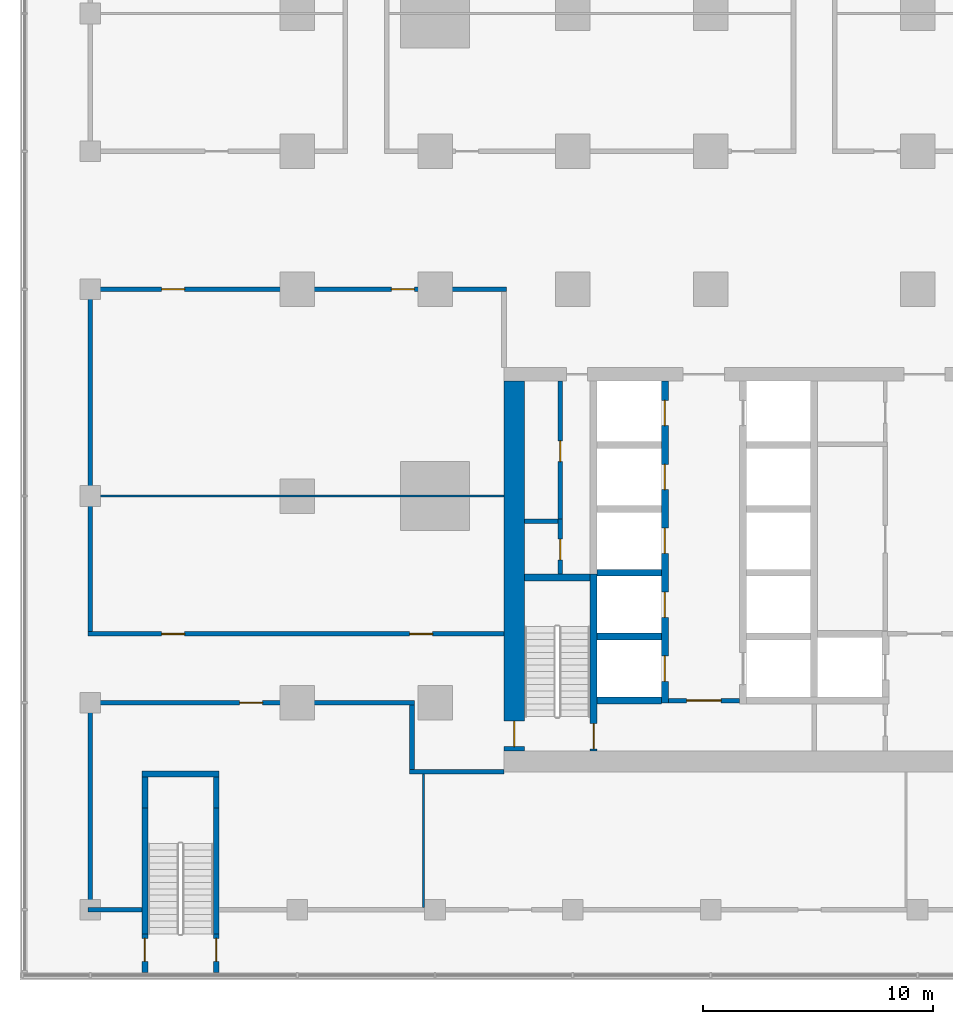
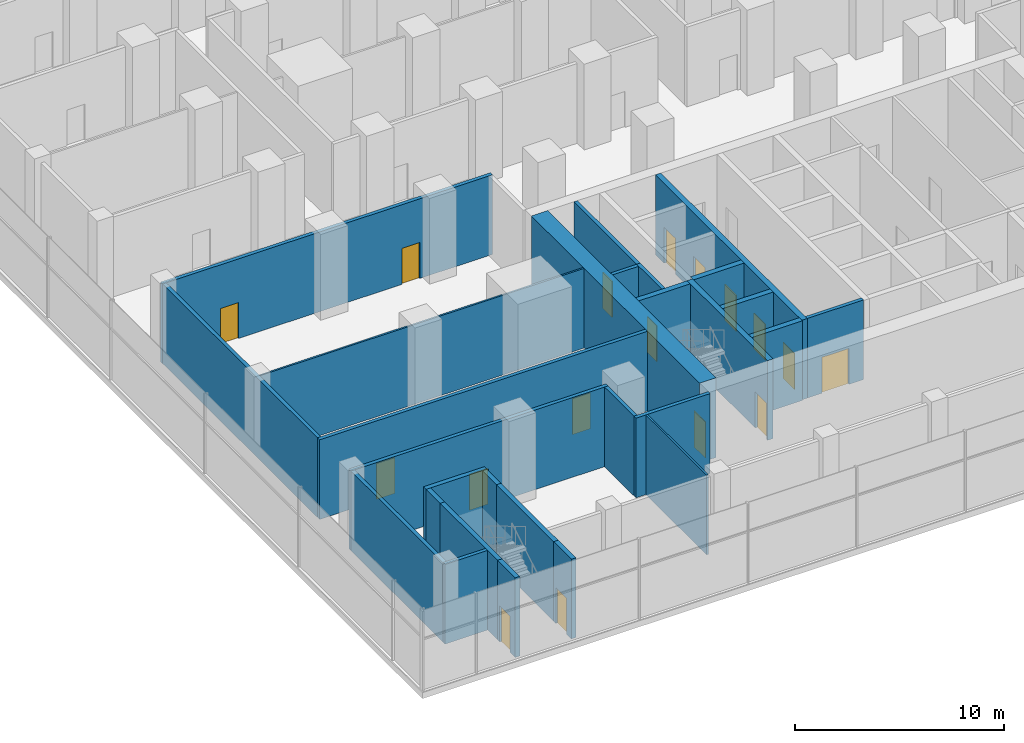
# One storey, part 12 of 22: 28 walls, 17 doors, 17 openings.
"""IFC4 building model written with IfcOpenShell, lengths in metres."""

import ifcopenshell
import ifcopenshell.guid

model = None  # the IFC model being written
_history = None  # IfcOwnerHistory: only IFC2X3 demands one
_inside = {}  # id of a spatial element -> (the spatial element, [elements in it])
_under = {}  # id of a project, library or spatial element -> (it, [spatial elements below it])
_declared = {}  # id of a project -> (the project, [libraries it declares])
_typed = {}  # id of a type object -> (the type object, [elements of that type])
_made_of = {}  # id of a material, layer set ... -> (it, [elements and type objects made of it])


def new_model(schema):
    """Start an empty IFC model of exactly this schema.

    Asked for "IFC4X3", IfcOpenShell would pick the latest addendum, in which some entities
    have other attributes; the version numbers below select the first issue.
    IFC2X3 requires an IfcOwnerHistory on every rooted entity: one is made here for all.
    """
    global model, _history
    if schema == "IFC4X3":
        model = ifcopenshell.file(schema_version=(4, 3, 0, 0))
    else:
        model = ifcopenshell.file(schema=schema)
    _inside.clear()
    _under.clear()
    _declared.clear()
    _typed.clear()
    _made_of.clear()
    _history = None
    if model.schema == "IFC2X3":
        org = make("IfcOrganization", Name="unknown")
        user = make(
            "IfcPersonAndOrganization",
            ThePerson=make("IfcPerson", FamilyName="unknown"),
            TheOrganization=org,
        )
        app = make(
            "IfcApplication",
            ApplicationDeveloper=org,
            Version="unknown",
            ApplicationFullName="unknown",
            ApplicationIdentifier="unknown",
        )
        _history = make(
            "IfcOwnerHistory",
            OwningUser=user,
            OwningApplication=app,
            ChangeAction="ADDED",
            CreationDate=0,
        )
    return model


def make(cls, **values):
    """One entity of the class cls with the attributes given. An attribute that is None is left unset."""
    return model.create_entity(
        cls, **{name: value for name, value in values.items() if value is not None}
    )


def rooted(cls, **values):
    """An entity with a GlobalId (a new one), such as an element, a storey or a relation."""
    return make(cls, GlobalId=ifcopenshell.guid.new(), OwnerHistory=_history, **values)


def si_unit(unit_type, name, prefix=None):
    """IfcSIUnit, for example si_unit("LENGTHUNIT", "METRE", prefix="MILLI")."""
    return make("IfcSIUnit", UnitType=unit_type, Prefix=prefix, Name=name)


def assignment(units):
    """IfcUnitAssignment: the units of a project."""
    return None if units is None else make("IfcUnitAssignment", Units=units)


def point(xyz):
    """IfcCartesianPoint."""
    return None if xyz is None else make("IfcCartesianPoint", Coordinates=xyz)


def direction(xyz):
    """IfcDirection."""
    return None if xyz is None else make("IfcDirection", DirectionRatios=xyz)


def frame(location, z_axis=None, x_axis=None):
    """IfcAxis2Placement3D, a coordinate frame: its origin and axes. An axis left out is left unset."""
    return make(
        "IfcAxis2Placement3D",
        Location=point(location),
        Axis=direction(z_axis),
        RefDirection=direction(x_axis),
    )


def frame_2d(location, x_axis=None):
    """IfcAxis2Placement2D, a coordinate frame in the plane: its origin and x axis."""
    return make(
        "IfcAxis2Placement2D", Location=point(location), RefDirection=direction(x_axis)
    )


def origin():
    """The frame at (0, 0, 0) with its axes left unset."""
    return frame((0.0, 0.0, 0.0))


def place(relative_to, where):
    """IfcLocalPlacement: puts the frame where relative to a parent placement (None: the world)."""
    return make(
        "IfcLocalPlacement", PlacementRelTo=relative_to, RelativePlacement=where
    )


def context(
    kind, dimensions, precision=None, world=None, true_north=None, identifier=None
):
    """IfcGeometricRepresentationContext, for example the 3D "Model" context."""
    return make(
        "IfcGeometricRepresentationContext",
        ContextIdentifier=identifier,
        ContextType=kind,
        CoordinateSpaceDimension=dimensions,
        Precision=precision,
        WorldCoordinateSystem=world,
        TrueNorth=true_north,
    )


def subcontext(parent, identifier, kind, view, scale=None):
    """IfcGeometricRepresentationSubContext, for example "Body" below "Model"."""
    return make(
        "IfcGeometricRepresentationSubContext",
        ContextIdentifier=identifier,
        ContextType=kind,
        ParentContext=parent,
        TargetScale=scale,
        TargetView=view,
    )


def project(units=None, contexts=None):
    """IfcProject with its units and contexts."""
    return rooted(
        "IfcProject",
        Name="project",
        RepresentationContexts=contexts,
        UnitsInContext=assignment(units),
    )


def spatial(cls, under=None, at=None, **own):
    """A site, building, storey or space (cls), placed at a placement, below another one or the project."""
    s = rooted(cls, ObjectPlacement=at, **own)
    if under is not None:
        _under.setdefault(under.id(), (under, []))[1].append(s)
    return s


def profile(cls, at=None, kind="AREA", **sizes):
    """A parametric profile (cls). Its sizes go by their IFC names, for example OverallWidth=200.0."""
    return make(cls, ProfileType=kind, Position=at, **sizes)


def rectangle(**sizes):
    """IfcRectangleProfileDef."""
    return profile("IfcRectangleProfileDef", **sizes)


def extrude(swept, where, along, depth):
    """IfcExtrudedAreaSolid: the profile swept, set in the frame where, extruded along a direction by depth."""
    return make(
        "IfcExtrudedAreaSolid",
        SweptArea=swept,
        Position=where,
        ExtrudedDirection=direction(along),
        Depth=depth,
    )


def shape(context_of_items, identifier, shape_type, items):
    """IfcShapeRepresentation: the items that make up one representation, for example the "Body"."""
    return make(
        "IfcShapeRepresentation",
        ContextOfItems=context_of_items,
        RepresentationIdentifier=identifier,
        RepresentationType=shape_type,
        Items=items,
    )


def material(Name=None, Category=None):
    """IfcMaterial."""
    return make("IfcMaterial", Name=Name, Category=Category)


def layer(
    of_material, thickness, ventilated=None, Name=None, Category=None, Priority=None
):
    """IfcMaterialLayer: one layer of a wall or slab, of a material (None: an air gap)."""
    return make(
        "IfcMaterialLayer",
        Material=of_material,
        LayerThickness=thickness,
        IsVentilated=ventilated,
        Name=Name,
        Category=Category,
        Priority=Priority,
    )


def layer_set(layers, Name=None):
    """IfcMaterialLayerSet."""
    return make("IfcMaterialLayerSet", MaterialLayers=layers, LayerSetName=Name)


def made_of(thing, what):
    """Note that an element or type object is made of a material, layer set ...; save() writes the relation."""
    if what is not None:
        _made_of.setdefault(what.id(), (what, []))[1].append(thing)
    return thing


def type_object(cls, material=None, **own):
    """A type object (cls), such as IfcWallType, which elements share."""
    return made_of(rooted(cls, **own), material)


def element(
    cls,
    number,
    at=None,
    inside=None,
    cuts=None,
    type_object=None,
    material=None,
    context=None,
    identifier="Body",
    shape_type=None,
    held_by="IfcProductDefinitionShape",
    body=None,
    shapes=None,
    **own,
):
    """One element of the class cls, such as IfcWall. Its Tag is "e" and its number.

    at: its placement. inside: the storey or other place that contains it. cuts: it is an
    opening in that element (IfcRelVoidsElement). A single representation is given by context,
    identifier, shape_type and body (its items); several are given by shapes. held_by: the class
    of the entity that holds the representations. save() writes the other relations.
    """
    e = rooted(cls, Tag="e%d" % number, ObjectPlacement=at, **own)
    if body is not None:
        shapes = [shape(context, identifier, shape_type, body)]
    if shapes is not None:
        e.Representation = make(held_by, Representations=shapes)
    if inside is not None:
        _inside.setdefault(inside.id(), (inside, []))[1].append(e)
    if cuts is not None:
        rooted(
            "IfcRelVoidsElement", RelatingBuildingElement=cuts, RelatedOpeningElement=e
        )
    if type_object is not None:
        _typed.setdefault(type_object.id(), (type_object, []))[1].append(e)
    return made_of(e, material)


def fill(opening, filler):
    """IfcRelFillsElement: the door or window that sits in an opening."""
    return rooted(
        "IfcRelFillsElement",
        RelatingOpeningElement=opening,
        RelatedBuildingElement=filler,
    )


def aggregate(whole, parts):
    """IfcRelAggregates: a whole, such as a stair, and the parts it consists of."""
    return rooted("IfcRelAggregates", RelatingObject=whole, RelatedObjects=parts)


def save(model, path):
    """Write the relations noted so far, then the file.

    IfcRelAggregates (storeys below a building ...), IfcRelContainedInSpatialStructure (elements
    in a storey), IfcRelDefinesByType, IfcRelAssociatesMaterial and IfcRelDeclares: one each for
    every whole, place, type object, material and project.
    """
    for whole, parts in _under.values():
        aggregate(whole, parts)
    for where, things in _inside.values():
        rooted(
            "IfcRelContainedInSpatialStructure",
            RelatedElements=things,
            RelatingStructure=where,
        )
    for kind, things in _typed.values():
        rooted("IfcRelDefinesByType", RelatedObjects=things, RelatingType=kind)
    for what, things in _made_of.values():
        rooted("IfcRelAssociatesMaterial", RelatedObjects=things, RelatingMaterial=what)
    for by, libraries in _declared.values():
        rooted("IfcRelDeclares", RelatingContext=by, RelatedDefinitions=libraries)
    model.write(path)


model = new_model("IFC4")

# Units and contexts
model_context = context("Model", 3, precision=1e-05, world=origin(), true_north=direction((0.0, 1.0)))
body_context = subcontext(model_context, "Body", "Model", "MODEL_VIEW")
ifc_project = project(units=[si_unit("LENGTHUNIT", "METRE"), si_unit("AREAUNIT", "SQUARE_METRE"), si_unit("VOLUMEUNIT", "CUBIC_METRE"), si_unit("PLANEANGLEUNIT", "RADIAN"), si_unit("MASSUNIT", "GRAM", prefix="KILO")], contexts=[model_context])

# Site, building, storey
site_placement = place(None, origin())
site = spatial("IfcSite", under=ifc_project, at=site_placement, CompositionType="ELEMENT")
building_placement = place(site_placement, origin())
building = spatial("IfcBuilding", under=site, at=building_placement, Name="Finial Court Residences", CompositionType="ELEMENT")
storey_placement = place(building_placement, frame((0.0, 0.0, 18.5)))
storey = spatial("IfcBuildingStorey", under=building, at=storey_placement, Name="L03", CompositionType="ELEMENT", Elevation=18.5)

# Wall, opening, door
ifc_material_1 = material(Name="Concrete C80/95", Category="concrete")
ifc_layer_1 = layer(ifc_material_1, 0.89990234375)
ifc_layer_set_1 = layer_set([ifc_layer_1], Name="Core outer wall 900 Concrete C80/95")
wall_type_1 = type_object("IfcWallType", Name="Core outer wall 900 Concrete C80/95", PredefinedType="SHEAR", material=ifc_layer_set_1)
wall_1_placement = place(storey_placement, frame((-13.050048828125, -8.5, 0.0), z_axis=(0.0, 0.0, 1.0), x_axis=(0.0, -1.0, 0.0)))
wall_1 = element("IfcWall", 1, at=wall_1_placement, inside=storey, type_object=wall_type_1, Name="Core outer wall L03-03", PredefinedType="SHEAR", context=body_context, shape_type="SweptSolid", body=[
    extrude(rectangle(XDim=16.10009765625, YDim=0.89990234375, at=frame_2d((8.050048828125, 0.0))), origin(), (0.0, 0.0, 1.0), 4.64990234375),
])
opening_1_placement = place(wall_1_placement, frame((14.800048828125, 0.0, 0.0)))
opening_1 = element("IfcOpeningElement", 2, at=opening_1_placement, cuts=wall_1, Name="Opening L03-C19", PredefinedType="OPENING", context=body_context, shape_type="SweptSolid", body=[
    extrude(rectangle(XDim=1.10009765625, YDim=2.10009765625, at=frame_2d((0.550048828125, 1.050048828125))), frame((0.0, 0.4599609375, 0.0), z_axis=(0.0, -1.0, 0.0), x_axis=(1.0, 0.0, 0.0)), (0.0, 0.0, 1.0), 0.919921875),
])
ifc_material_2 = material(Name="Steel fire door", Category="steel")
door_type_1 = type_object("IfcDoorType", Name="Stair door 1100 x 2100 EI 90", OperationType="NOTDEFINED", PredefinedType="DOOR", material=ifc_material_2)
door_1_placement = place(opening_1_placement, origin())
door_1 = element("IfcDoor", 3, at=door_1_placement, inside=storey, type_object=door_type_1, Name="Stair door L03-C19", OperationType="SINGLE_SWING_RIGHT", OverallHeight=2.10009765625, OverallWidth=1.10009765625, PredefinedType="DOOR", context=body_context, shape_type="SweptSolid", body=[
    extrude(rectangle(XDim=1.10009765625, YDim=2.10009765625, at=frame_2d((0.550048828125, 1.050048828125))), frame((0.0, 0.02490234375, 0.0), z_axis=(0.0, -1.0, 0.0), x_axis=(1.0, 0.0, 0.0)), (0.0, 0.0, 1.0), 0.050048828125),
])
fill(opening_1, door_1)

# Walls
ifc_material_3 = material(Name="Gypsum board")
ifc_layer_2 = layer(ifc_material_3, 0.02490234375)
ifc_material_4 = material(Name="Acoustic mineral wool in double frame")
ifc_layer_3 = layer(ifc_material_4, 0.14990234375)
ifc_layer_4 = layer(ifc_material_3, 0.02490234375)
ifc_layer_set_2 = layer_set([ifc_layer_2, ifc_layer_3, ifc_layer_4], Name="Corridor wall 200, 1 hour")
wall_type_2 = type_object("IfcWallType", Name="Corridor wall 200, 1 hour", PredefinedType="PARTITIONING", material=ifc_layer_set_2)
wall_2_placement = place(storey_placement, frame((-31.60009765625, -31.5, 0.0), z_axis=(0.0, 0.0, 1.0), x_axis=(1.0, 0.0, 0.0)))
element("IfcWall", 4, at=wall_2_placement, inside=storey, type_object=wall_type_2, Name="Partition L03-000", PredefinedType="PARTITIONING", context=body_context, shape_type="SweptSolid", body=[
    extrude(rectangle(XDim=2.35009765625, YDim=0.199951171875, at=frame_2d((1.175048828125, 0.0))), origin(), (0.0, 0.0, 1.0), 4.64990234375),
])
wall_3_placement = place(storey_placement, frame((-17.60009765625, -25.5, 0.0), z_axis=(0.0, 0.0, 1.0), x_axis=(1.0, 0.0, 0.0)))
element("IfcWall", 5, at=wall_3_placement, inside=storey, type_object=wall_type_2, Name="Partition L03-003", PredefinedType="PARTITIONING", context=body_context, shape_type="SweptSolid", body=[
    extrude(rectangle(XDim=4.10009765625, YDim=0.199951171875, at=frame_2d((2.050048828125, 0.0))), origin(), (0.0, 0.0, 1.0), 4.64990234375),
])

# Wall, opening, door
wall_4_placement = place(storey_placement, frame((-31.60009765625, -22.5, 0.0), z_axis=(0.0, 0.0, 1.0), x_axis=(1.0, 0.0, 0.0)))
wall_4 = element("IfcWall", 6, at=wall_4_placement, inside=storey, type_object=wall_type_2, Name="Partition L03-005", PredefinedType="PARTITIONING", context=body_context, shape_type="SweptSolid", body=[
    extrude(rectangle(XDim=14.2001953125, YDim=0.199951171875, at=frame_2d((7.10009765625, 0.0))), origin(), (0.0, 0.0, 1.0), 4.64990234375),
])
opening_2_placement = place(wall_4_placement, frame((6.60009765625, 0.0, 0.0)))
opening_2 = element("IfcOpeningElement", 7, at=opening_2_placement, cuts=wall_4, Name="Opening L03-D007", PredefinedType="OPENING", context=body_context, shape_type="SweptSolid", body=[
    extrude(rectangle(XDim=1.0, YDim=2.10009765625, at=frame_2d((0.5, 1.050048828125))), frame((0.0, 0.10986328125, 0.0), z_axis=(0.0, -1.0, 0.0), x_axis=(1.0, 0.0, 0.0)), (0.0, 0.0, 1.0), 0.219970703125),
])
ifc_material_5 = material(Name="Timber door leaf in hollow metal frame", Category="wood")
door_type_2 = type_object("IfcDoorType", Name="Fire door set 1000 x 2100, 30 minutes", OperationType="SINGLE_SWING_LEFT", PredefinedType="DOOR", material=ifc_material_5)
door_2_placement = place(opening_2_placement, origin())
door_2 = element("IfcDoor", 8, at=door_2_placement, inside=storey, type_object=door_type_2, Name="Door L03-D007", OperationType="SINGLE_SWING_RIGHT", OverallHeight=2.10009765625, OverallWidth=1.0, PredefinedType="DOOR", context=body_context, shape_type="SweptSolid", body=[
    extrude(rectangle(XDim=1.0, YDim=2.10009765625, at=frame_2d((0.5, 1.050048828125))), frame((0.0, 0.02490234375, 0.0), z_axis=(0.0, -1.0, 0.0), x_axis=(1.0, 0.0, 0.0)), (0.0, 0.0, 1.0), 0.050048828125),
])
fill(opening_2, door_2)

# Wall, openings, doors
wall_5_placement = place(storey_placement, frame((-31.60009765625, -19.5, 0.0), z_axis=(0.0, 0.0, 1.0), x_axis=(1.0, 0.0, 0.0)))
wall_5 = element("IfcWall", 9, at=wall_5_placement, inside=storey, type_object=wall_type_2, Name="Partition L03-008", PredefinedType="PARTITIONING", context=body_context, shape_type="SweptSolid", body=[
    extrude(rectangle(XDim=18.10009765625, YDim=0.199951171875, at=frame_2d((9.050048828125, 0.0))), origin(), (0.0, 0.0, 1.0), 4.64990234375),
])
opening_3_placement = place(wall_5_placement, frame((3.199951171875, 0.0, 0.0)))
opening_3 = element("IfcOpeningElement", 10, at=opening_3_placement, cuts=wall_5, Name="Opening L03-D008", PredefinedType="OPENING", context=body_context, shape_type="SweptSolid", body=[
    extrude(rectangle(XDim=1.0, YDim=2.10009765625, at=frame_2d((0.5, 1.050048828125))), frame((0.0, 0.10986328125, 0.0), z_axis=(0.0, -1.0, 0.0), x_axis=(1.0, 0.0, 0.0)), (0.0, 0.0, 1.0), 0.219970703125),
])
opening_4_placement = place(wall_5_placement, frame((14.0, 0.0, 0.0)))
opening_4 = element("IfcOpeningElement", 11, at=opening_4_placement, cuts=wall_5, Name="Opening L03-D009", PredefinedType="OPENING", context=body_context, shape_type="SweptSolid", body=[
    extrude(rectangle(XDim=1.0, YDim=2.10009765625, at=frame_2d((0.5, 1.050048828125))), frame((0.0, 0.10986328125, 0.0), z_axis=(0.0, -1.0, 0.0), x_axis=(1.0, 0.0, 0.0)), (0.0, 0.0, 1.0), 0.219970703125),
])
door_3_placement = place(opening_3_placement, origin())
door_3 = element("IfcDoor", 12, at=door_3_placement, inside=storey, type_object=door_type_2, Name="Door L03-D008", OperationType="SINGLE_SWING_RIGHT", OverallHeight=2.10009765625, OverallWidth=1.0, PredefinedType="DOOR", context=body_context, shape_type="SweptSolid", body=[
    extrude(rectangle(XDim=1.0, YDim=2.10009765625, at=frame_2d((0.5, 1.050048828125))), frame((0.0, 0.02490234375, 0.0), z_axis=(0.0, -1.0, 0.0), x_axis=(1.0, 0.0, 0.0)), (0.0, 0.0, 1.0), 0.050048828125),
])
fill(opening_3, door_3)
door_4_placement = place(opening_4_placement, origin())
door_4 = element("IfcDoor", 13, at=door_4_placement, inside=storey, type_object=door_type_2, Name="Door L03-D009", OperationType="SINGLE_SWING_LEFT", OverallHeight=2.10009765625, OverallWidth=1.0, PredefinedType="DOOR", context=body_context, shape_type="SweptSolid", body=[
    extrude(rectangle(XDim=1.0, YDim=2.10009765625, at=frame_2d((0.5, 1.050048828125))), frame((0.0, 0.02490234375, 0.0), z_axis=(0.0, -1.0, 0.0), x_axis=(1.0, 0.0, 0.0)), (0.0, 0.0, 1.0), 0.050048828125),
])
fill(opening_4, door_4)

wall_6_placement = place(storey_placement, frame((-31.60009765625, -4.5, 0.0), z_axis=(0.0, 0.0, 1.0), x_axis=(1.0, 0.0, 0.0)))
wall_6 = element("IfcWall", 14, at=wall_6_placement, inside=storey, type_object=wall_type_2, Name="Partition L03-015", PredefinedType="PARTITIONING", context=body_context, shape_type="SweptSolid", body=[
    extrude(rectangle(XDim=18.2001953125, YDim=0.199951171875, at=frame_2d((9.10009765625, 0.0))), origin(), (0.0, 0.0, 1.0), 4.64990234375),
])
opening_5_placement = place(wall_6_placement, frame((3.199951171875, 0.0, 0.0)))
opening_5 = element("IfcOpeningElement", 15, at=opening_5_placement, cuts=wall_6, Name="Opening L03-D013", PredefinedType="OPENING", context=body_context, shape_type="SweptSolid", body=[
    extrude(rectangle(XDim=1.0, YDim=2.10009765625, at=frame_2d((0.5, 1.050048828125))), frame((0.0, 0.10986328125, 0.0), z_axis=(0.0, -1.0, 0.0), x_axis=(1.0, 0.0, 0.0)), (0.0, 0.0, 1.0), 0.219970703125),
])
opening_6_placement = place(wall_6_placement, frame((13.199951171875, 0.0, 0.0)))
opening_6 = element("IfcOpeningElement", 16, at=opening_6_placement, cuts=wall_6, Name="Opening L03-D014", PredefinedType="OPENING", context=body_context, shape_type="SweptSolid", body=[
    extrude(rectangle(XDim=1.0, YDim=2.10009765625, at=frame_2d((0.5, 1.050048828125))), frame((0.0, 0.10986328125, 0.0), z_axis=(0.0, -1.0, 0.0), x_axis=(1.0, 0.0, 0.0)), (0.0, 0.0, 1.0), 0.219970703125),
])
door_5_placement = place(opening_5_placement, origin())
door_5 = element("IfcDoor", 17, at=door_5_placement, inside=storey, type_object=door_type_2, Name="Door L03-D013", OperationType="SINGLE_SWING_LEFT", OverallHeight=2.10009765625, OverallWidth=1.0, PredefinedType="DOOR", context=body_context, shape_type="SweptSolid", body=[
    extrude(rectangle(XDim=1.0, YDim=2.10009765625, at=frame_2d((0.5, 1.050048828125))), frame((0.0, 0.02490234375, 0.0), z_axis=(0.0, -1.0, 0.0), x_axis=(1.0, 0.0, 0.0)), (0.0, 0.0, 1.0), 0.050048828125),
])
fill(opening_5, door_5)
door_6_placement = place(opening_6_placement, origin())
door_6 = element("IfcDoor", 18, at=door_6_placement, inside=storey, type_object=door_type_2, Name="Door L03-D014", OperationType="SINGLE_SWING_RIGHT", OverallHeight=2.10009765625, OverallWidth=1.0, PredefinedType="DOOR", context=body_context, shape_type="SweptSolid", body=[
    extrude(rectangle(XDim=1.0, YDim=2.10009765625, at=frame_2d((0.5, 1.050048828125))), frame((0.0, 0.02490234375, 0.0), z_axis=(0.0, -1.0, 0.0), x_axis=(1.0, 0.0, 0.0)), (0.0, 0.0, 1.0), 0.050048828125),
])
fill(opening_6, door_6)

# Walls
wall_7_placement = place(storey_placement, frame((-31.5, -31.39990234375, 0.0), z_axis=(0.0, 0.0, 1.0), x_axis=(0.0, 1.0, 0.0)))
element("IfcWall", 19, at=wall_7_placement, inside=storey, type_object=wall_type_2, Name="Partition L03-040", PredefinedType="PARTITIONING", context=body_context, shape_type="SweptSolid", body=[
    extrude(rectangle(XDim=8.7998046875, YDim=0.199951171875, at=frame_2d((4.39990234375, 0.0))), origin(), (0.0, 0.0, 1.0), 4.64990234375),
])
wall_8_placement = place(storey_placement, frame((-31.5, -19.39990234375, 0.0), z_axis=(0.0, 0.0, 1.0), x_axis=(0.0, 1.0, 0.0)))
element("IfcWall", 20, at=wall_8_placement, inside=storey, type_object=wall_type_2, Name="Partition L03-041", PredefinedType="PARTITIONING", context=body_context, shape_type="SweptSolid", body=[
    extrude(rectangle(XDim=14.7998046875, YDim=0.199951171875, at=frame_2d((7.39990234375, 0.0))), origin(), (0.0, 0.0, 1.0), 4.64990234375),
])
wall_9_placement = place(storey_placement, frame((-17.5, -25.39990234375, 0.0), z_axis=(0.0, 0.0, 1.0), x_axis=(0.0, 1.0, 0.0)))
element("IfcWall", 21, at=wall_9_placement, inside=storey, type_object=wall_type_2, Name="Partition L03-047", PredefinedType="PARTITIONING", context=body_context, shape_type="SweptSolid", body=[
    extrude(rectangle(XDim=2.7998046875, YDim=0.199951171875, at=frame_2d((1.39990234375, 0.0))), origin(), (0.0, 0.0, 1.0), 4.64990234375),
])
ifc_layer_5 = layer(ifc_material_3, 0.012451171875)
ifc_material_6 = material(Name="Mineral wool in light-gauge frame")
ifc_layer_6 = layer(ifc_material_6, 0.074951171875)
ifc_layer_7 = layer(ifc_material_3, 0.012451171875)
ifc_layer_set_3 = layer_set([ifc_layer_5, ifc_layer_6, ifc_layer_7], Name="Gypsum board partition 100")
wall_type_3 = type_object("IfcWallType", Name="Gypsum board partition 100", PredefinedType="PARTITIONING", material=ifc_layer_set_3)
wall_10_placement = place(storey_placement, frame((-31.39990234375, -13.5, 0.0), z_axis=(0.0, 0.0, 1.0), x_axis=(1.0, 0.0, 0.0)))
element("IfcWall", 22, at=wall_10_placement, inside=storey, type_object=wall_type_3, Name="Partition L03-013", PredefinedType="PARTITIONING", context=body_context, shape_type="SweptSolid", body=[
    extrude(rectangle(XDim=17.89990234375, YDim=0.10009765625, at=frame_2d((8.949951171875, 0.0))), origin(), (0.0, 0.0, 1.0), 4.64990234375),
])
wall_11_placement = place(storey_placement, frame((-17.0, -31.39990234375, 0.0), z_axis=(0.0, 0.0, 1.0), x_axis=(0.0, 1.0, 0.0)))
element("IfcWall", 23, at=wall_11_placement, inside=storey, type_object=wall_type_3, Name="Partition L03-048", PredefinedType="PARTITIONING", context=body_context, shape_type="SweptSolid", body=[
    extrude(rectangle(XDim=5.7998046875, YDim=0.10009765625, at=frame_2d((2.89990234375, 0.0))), origin(), (0.0, 0.0, 1.0), 4.64990234375),
])
ifc_layer_8 = layer(ifc_material_1, 0.300048828125)
ifc_layer_set_4 = layer_set([ifc_layer_8], Name="Lift shaft and stair wall 300 Concrete C80/95")
wall_type_4 = type_object("IfcWallType", Name="Lift shaft and stair wall 300 Concrete C80/95", PredefinedType="SHEAR", material=ifc_layer_set_4)
for number, where, z_axis, x_axis, name in (
    (24, (-9.449951171875, -22.39990234375, 0.0), (0.0, 0.0, 1.0), (1.0, 0.0, 0.0), "Core wall L03-01"),
    (25, (-9.449951171875, -19.6201171875, 0.0), (0.0, 0.0, 1.0), (1.0, 0.0, 0.0), "Core wall L03-05"),
):
    element("IfcWall", number, at=place(storey_placement, frame(where, z_axis=z_axis, x_axis=x_axis)), inside=storey, type_object=wall_type_4, Name=name, PredefinedType="SHEAR", context=body_context, shape_type="SweptSolid", body=[
        extrude(rectangle(XDim=2.800048828125, YDim=0.300048828125, at=frame_2d((1.39990234375, 0.0))), origin(), (0.0, 0.0, 1.0), 4.64990234375),
    ])
wall_12_placement = place(storey_placement, frame((-12.60009765625, -17.050048828125, 0.0), z_axis=(0.0, 0.0, 1.0), x_axis=(1.0, 0.0, 0.0)))
element("IfcWall", 26, at=wall_12_placement, inside=storey, type_object=wall_type_4, Name="Core wall L03-10", PredefinedType="SHEAR", context=body_context, shape_type="SweptSolid", body=[
    extrude(rectangle(XDim=2.85009765625, YDim=0.300048828125, at=frame_2d((1.425048828125, 0.0))), origin(), (0.0, 0.0, 1.0), 4.64990234375),
])
wall_13_placement = place(storey_placement, frame((-9.449951171875, -16.840087890625, 0.0), z_axis=(0.0, 0.0, 1.0), x_axis=(1.0, 0.0, 0.0)))
element("IfcWall", 27, at=wall_13_placement, inside=storey, type_object=wall_type_4, Name="Core wall L03-12", PredefinedType="SHEAR", context=body_context, shape_type="SweptSolid", body=[
    extrude(rectangle(XDim=2.800048828125, YDim=0.300048828125, at=frame_2d((1.39990234375, 0.0))), origin(), (0.0, 0.0, 1.0), 4.64990234375),
])

# Wall, opening, door
wall_14_placement = place(storey_placement, frame((-9.60009765625, -24.60009765625, 0.0), z_axis=(0.0, 0.0, 1.0), x_axis=(0.0, 1.0, 0.0)))
wall_14 = element("IfcWall", 28, at=wall_14_placement, inside=storey, type_object=wall_type_4, Name="Core wall L03-24", PredefinedType="SHEAR", context=body_context, shape_type="SweptSolid", body=[
    extrude(rectangle(XDim=7.7001953125, YDim=0.300048828125, at=frame_2d((3.85009765625, 0.0))), origin(), (0.0, 0.0, 1.0), 4.64990234375),
])
opening_7_placement = place(wall_14_placement, frame((0.10009765625, 0.0, 0.0)))
opening_7 = element("IfcOpeningElement", 29, at=opening_7_placement, cuts=wall_14, Name="Opening L03-C17", PredefinedType="OPENING", context=body_context, shape_type="SweptSolid", body=[
    extrude(rectangle(XDim=1.10009765625, YDim=2.10009765625, at=frame_2d((0.550048828125, 1.050048828125))), frame((0.0, 0.159912109375, 0.0), z_axis=(0.0, -1.0, 0.0), x_axis=(1.0, 0.0, 0.0)), (0.0, 0.0, 1.0), 0.320068359375),
])
door_7_placement = place(opening_7_placement, origin())
door_7 = element("IfcDoor", 30, at=door_7_placement, inside=storey, type_object=door_type_1, Name="Stair door L03-C17", OperationType="SINGLE_SWING_LEFT", OverallHeight=2.10009765625, OverallWidth=1.10009765625, PredefinedType="DOOR", context=body_context, shape_type="SweptSolid", body=[
    extrude(rectangle(XDim=1.10009765625, YDim=2.10009765625, at=frame_2d((0.550048828125, 1.050048828125))), frame((0.0, 0.02490234375, 0.0), z_axis=(0.0, -1.0, 0.0), x_axis=(1.0, 0.0, 0.0)), (0.0, 0.0, 1.0), 0.050048828125),
])
fill(opening_7, door_7)

# Wall, openings, doors
wall_15_placement = place(storey_placement, frame((-6.5, -22.5, 0.0), z_axis=(0.0, 0.0, 1.0), x_axis=(0.0, 1.0, 0.0)))
wall_15 = element("IfcWall", 31, at=wall_15_placement, inside=storey, type_object=wall_type_4, Name="Core wall L03-26", PredefinedType="SHEAR", context=body_context, shape_type="SweptSolid", body=[
    extrude(rectangle(XDim=14.0, YDim=0.300048828125, at=frame_2d((7.0, 0.0))), origin(), (0.0, 0.0, 1.0), 4.64990234375),
])
opening_8_placement = place(wall_15_placement, frame((0.93994140625, 0.0, 0.0)))
opening_8 = element("IfcOpeningElement", 32, at=opening_8_placement, cuts=wall_15, Name="Opening L03-LD03", PredefinedType="OPENING", context=body_context, shape_type="SweptSolid", body=[
    extrude(rectangle(XDim=1.10009765625, YDim=2.10009765625, at=frame_2d((0.550048828125, 1.050048828125))), frame((0.0, 0.159912109375, 0.0), z_axis=(0.0, -1.0, 0.0), x_axis=(1.0, 0.0, 0.0)), (0.0, 0.0, 1.0), 0.320068359375),
])
opening_9_placement = place(wall_15_placement, frame((3.719970703125, 0.0, 0.0)))
opening_9 = element("IfcOpeningElement", 33, at=opening_9_placement, cuts=wall_15, Name="Opening L03-LD04", PredefinedType="OPENING", context=body_context, shape_type="SweptSolid", body=[
    extrude(rectangle(XDim=1.10009765625, YDim=2.10009765625, at=frame_2d((0.550048828125, 1.050048828125))), frame((0.0, 0.159912109375, 0.0), z_axis=(0.0, -1.0, 0.0), x_axis=(1.0, 0.0, 0.0)), (0.0, 0.0, 1.0), 0.320068359375),
])
opening_10_placement = place(wall_15_placement, frame((6.5, 0.0, 0.0)))
opening_10 = element("IfcOpeningElement", 34, at=opening_10_placement, cuts=wall_15, Name="Opening L03-LD05", PredefinedType="OPENING", context=body_context, shape_type="SweptSolid", body=[
    extrude(rectangle(XDim=1.10009765625, YDim=2.10009765625, at=frame_2d((0.550048828125, 1.050048828125))), frame((0.0, 0.159912109375, 0.0), z_axis=(0.0, -1.0, 0.0), x_axis=(1.0, 0.0, 0.0)), (0.0, 0.0, 1.0), 0.320068359375),
])
opening_11_placement = place(wall_15_placement, frame((9.280029296875, 0.0, 0.0)))
opening_11 = element("IfcOpeningElement", 35, at=opening_11_placement, cuts=wall_15, Name="Opening L03-LD06", PredefinedType="OPENING", context=body_context, shape_type="SweptSolid", body=[
    extrude(rectangle(XDim=1.10009765625, YDim=2.10009765625, at=frame_2d((0.550048828125, 1.050048828125))), frame((0.0, 0.159912109375, 0.0), z_axis=(0.0, -1.0, 0.0), x_axis=(1.0, 0.0, 0.0)), (0.0, 0.0, 1.0), 0.320068359375),
])
opening_12_placement = place(wall_15_placement, frame((12.06005859375, 0.0, 0.0)))
opening_12 = element("IfcOpeningElement", 36, at=opening_12_placement, cuts=wall_15, Name="Opening L03-LD07", PredefinedType="OPENING", context=body_context, shape_type="SweptSolid", body=[
    extrude(rectangle(XDim=1.10009765625, YDim=2.10009765625, at=frame_2d((0.550048828125, 1.050048828125))), frame((0.0, 0.159912109375, 0.0), z_axis=(0.0, -1.0, 0.0), x_axis=(1.0, 0.0, 0.0)), (0.0, 0.0, 1.0), 0.320068359375),
])
ifc_material_7 = material(Name="Stainless steel lift door", Category="steel")
door_type_3 = type_object("IfcDoorType", Name="Lift landing door 1100 x 2100 EI 90", OperationType="DOUBLE_DOOR_SLIDING", PredefinedType="DOOR", material=ifc_material_7)
door_8_placement = place(opening_8_placement, origin())
door_8 = element("IfcDoor", 37, at=door_8_placement, inside=storey, type_object=door_type_3, Name="Lift landing door LR1 L03", OperationType="DOUBLE_DOOR_SLIDING", OverallHeight=2.10009765625, OverallWidth=1.10009765625, PredefinedType="DOOR", context=body_context, shape_type="SweptSolid", body=[
    extrude(rectangle(XDim=1.10009765625, YDim=2.10009765625, at=frame_2d((0.550048828125, 1.050048828125))), frame((0.0, 0.02490234375, 0.0), z_axis=(0.0, -1.0, 0.0), x_axis=(1.0, 0.0, 0.0)), (0.0, 0.0, 1.0), 0.050048828125),
])
fill(opening_8, door_8)
door_9_placement = place(opening_9_placement, origin())
door_9 = element("IfcDoor", 38, at=door_9_placement, inside=storey, type_object=door_type_3, Name="Lift landing door LR2 L03", OperationType="DOUBLE_DOOR_SLIDING", OverallHeight=2.10009765625, OverallWidth=1.10009765625, PredefinedType="DOOR", context=body_context, shape_type="SweptSolid", body=[
    extrude(rectangle(XDim=1.10009765625, YDim=2.10009765625, at=frame_2d((0.550048828125, 1.050048828125))), frame((0.0, 0.02490234375, 0.0), z_axis=(0.0, -1.0, 0.0), x_axis=(1.0, 0.0, 0.0)), (0.0, 0.0, 1.0), 0.050048828125),
])
fill(opening_9, door_9)
door_10_placement = place(opening_10_placement, origin())
door_10 = element("IfcDoor", 39, at=door_10_placement, inside=storey, type_object=door_type_3, Name="Lift landing door LR3 L03", OperationType="DOUBLE_DOOR_SLIDING", OverallHeight=2.10009765625, OverallWidth=1.10009765625, PredefinedType="DOOR", context=body_context, shape_type="SweptSolid", body=[
    extrude(rectangle(XDim=1.10009765625, YDim=2.10009765625, at=frame_2d((0.550048828125, 1.050048828125))), frame((0.0, 0.02490234375, 0.0), z_axis=(0.0, -1.0, 0.0), x_axis=(1.0, 0.0, 0.0)), (0.0, 0.0, 1.0), 0.050048828125),
])
fill(opening_10, door_10)
door_11_placement = place(opening_11_placement, origin())
door_11 = element("IfcDoor", 40, at=door_11_placement, inside=storey, type_object=door_type_3, Name="Lift landing door LR4 L03", OperationType="DOUBLE_DOOR_SLIDING", OverallHeight=2.10009765625, OverallWidth=1.10009765625, PredefinedType="DOOR", context=body_context, shape_type="SweptSolid", body=[
    extrude(rectangle(XDim=1.10009765625, YDim=2.10009765625, at=frame_2d((0.550048828125, 1.050048828125))), frame((0.0, 0.02490234375, 0.0), z_axis=(0.0, -1.0, 0.0), x_axis=(1.0, 0.0, 0.0)), (0.0, 0.0, 1.0), 0.050048828125),
])
fill(opening_11, door_11)
door_12_placement = place(opening_12_placement, origin())
door_12 = element("IfcDoor", 41, at=door_12_placement, inside=storey, type_object=door_type_3, Name="Lift landing door LR5 L03", OperationType="DOUBLE_DOOR_SLIDING", OverallHeight=2.10009765625, OverallWidth=1.10009765625, PredefinedType="DOOR", context=body_context, shape_type="SweptSolid", body=[
    extrude(rectangle(XDim=1.10009765625, YDim=2.10009765625, at=frame_2d((0.550048828125, 1.050048828125))), frame((0.0, 0.02490234375, 0.0), z_axis=(0.0, -1.0, 0.0), x_axis=(1.0, 0.0, 0.0)), (0.0, 0.0, 1.0), 0.050048828125),
])
fill(opening_12, door_12)

# Wall
ifc_material_8 = material(Name="Fire-rated gypsum board partition")
ifc_layer_9 = layer(ifc_material_8, 0.199951171875)
ifc_layer_set_5 = layer_set([ifc_layer_9], Name="Riser room wall 200 EI 120")
wall_type_5 = type_object("IfcWallType", Name="Riser room wall 200 EI 120", PredefinedType="PARTITIONING", material=ifc_layer_set_5)
wall_16_placement = place(storey_placement, frame((-12.60009765625, -14.60009765625, 0.0), z_axis=(0.0, 0.0, 1.0), x_axis=(1.0, 0.0, 0.0)))
element("IfcWall", 42, at=wall_16_placement, inside=storey, type_object=wall_type_5, Name="Core partition L03-15", PredefinedType="PARTITIONING", context=body_context, shape_type="SweptSolid", body=[
    extrude(rectangle(XDim=1.4501953125, YDim=0.199951171875, at=frame_2d((0.72509765625, 0.0))), origin(), (0.0, 0.0, 1.0), 4.64990234375),
])

# Wall, opening, door
wall_17_placement = place(storey_placement, frame((-11.050048828125, -14.699951171875, 0.0), z_axis=(0.0, 0.0, 1.0), x_axis=(0.0, 1.0, 0.0)))
wall_17 = element("IfcWall", 43, at=wall_17_placement, inside=storey, type_object=wall_type_5, Name="Core partition L03-23", PredefinedType="PARTITIONING", context=body_context, shape_type="SweptSolid", body=[
    extrude(rectangle(XDim=6.199951171875, YDim=0.199951171875, at=frame_2d((3.10009765625, 0.0))), origin(), (0.0, 0.0, 1.0), 4.64990234375),
])
opening_13_placement = place(wall_17_placement, frame((2.699951171875, 0.0, 0.0)))
opening_13 = element("IfcOpeningElement", 44, at=opening_13_placement, cuts=wall_17, Name="Opening L03-C07", PredefinedType="OPENING", context=body_context, shape_type="SweptSolid", body=[
    extrude(rectangle(XDim=0.89990234375, YDim=2.10009765625, at=frame_2d((0.449951171875, 1.050048828125))), frame((0.0, 0.10986328125, 0.0), z_axis=(0.0, -1.0, 0.0), x_axis=(1.0, 0.0, 0.0)), (0.0, 0.0, 1.0), 0.219970703125),
])
door_type_4 = type_object("IfcDoorType", Name="Riser room door 900 x 2100 EI 90", OperationType="NOTDEFINED", PredefinedType="DOOR", material=ifc_material_2)
door_13_placement = place(opening_13_placement, origin())
door_13 = element("IfcDoor", 45, at=door_13_placement, inside=storey, type_object=door_type_4, Name="Riser room door L03-C07", OperationType="SINGLE_SWING_LEFT", OverallHeight=2.10009765625, OverallWidth=0.89990234375, PredefinedType="DOOR", context=body_context, shape_type="SweptSolid", body=[
    extrude(rectangle(XDim=0.89990234375, YDim=2.10009765625, at=frame_2d((0.449951171875, 1.050048828125))), frame((0.0, 0.02490234375, 0.0), z_axis=(0.0, -1.0, 0.0), x_axis=(1.0, 0.0, 0.0)), (0.0, 0.0, 1.0), 0.050048828125),
])
fill(opening_13, door_13)

ifc_material_9 = material(Name="Concrete C50/60", Category="concrete")
ifc_layer_10 = layer(ifc_material_9, 0.25)
ifc_layer_set_6 = layer_set([ifc_layer_10], Name="Stair enclosure wall 250 Concrete C50/60")
wall_type_6 = type_object("IfcWallType", Name="Stair enclosure wall 250 Concrete C50/60", PredefinedType="SHEAR", material=ifc_layer_set_6)
wall_18_placement = place(storey_placement, frame((-29.125, -32.550048828125, 0.0), z_axis=(0.0, 0.0, 1.0), x_axis=(0.0, -1.0, 0.0)))
wall_18 = element("IfcWall", 46, at=wall_18_placement, inside=storey, type_object=wall_type_6, Name="Exit Stair 4 enclosure wall L03-W1", PredefinedType="SHEAR", context=body_context, shape_type="SweptSolid", body=[
    extrude(rectangle(XDim=1.68994140625, YDim=0.25, at=frame_2d((0.844970703125, 0.0))), origin(), (0.0, 0.0, 1.0), 4.64990234375),
])
opening_14_placement = place(wall_18_placement, frame((0.199951171875, 0.0, 0.0)))
opening_14 = element("IfcOpeningElement", 47, at=opening_14_placement, cuts=wall_18, Name="Opening L03-S4", PredefinedType="OPENING", context=body_context, shape_type="SweptSolid", body=[
    extrude(rectangle(XDim=1.0, YDim=2.10009765625, at=frame_2d((0.5, 1.050048828125))), frame((0.0, 0.135009765625, 0.0), z_axis=(0.0, -1.0, 0.0), x_axis=(1.0, 0.0, 0.0)), (0.0, 0.0, 1.0), 0.27001953125),
])
door_type_5 = type_object("IfcDoorType", Name="Stair door 1000 x 2100 EI 90", OperationType="NOTDEFINED", PredefinedType="DOOR", material=ifc_material_2)
door_14_placement = place(opening_14_placement, origin())
door_14 = element("IfcDoor", 48, at=door_14_placement, inside=storey, type_object=door_type_5, Name="Exit Stair 4 door L03", OperationType="SINGLE_SWING_RIGHT", OverallHeight=2.10009765625, OverallWidth=1.0, PredefinedType="DOOR", context=body_context, shape_type="SweptSolid", body=[
    extrude(rectangle(XDim=1.0, YDim=2.10009765625, at=frame_2d((0.5, 1.050048828125))), frame((0.0, 0.02490234375, 0.0), z_axis=(0.0, -1.0, 0.0), x_axis=(1.0, 0.0, 0.0)), (0.0, 0.0, 1.0), 0.050048828125),
])
fill(opening_14, door_14)

# Walls
wall_19_placement = place(storey_placement, frame((-29.125, -32.550048828125, 0.0), z_axis=(0.0, 0.0, 1.0), x_axis=(0.0, 1.0, 0.0)))
element("IfcWall", 49, at=wall_19_placement, inside=storey, type_object=wall_type_6, Name="Exit Stair 4 enclosure wall L03-W2", PredefinedType="SHEAR", context=body_context, shape_type="SweptSolid", body=[
    extrude(rectangle(XDim=5.47998046875, YDim=0.25, at=frame_2d((2.739990234375, 0.0))), origin(), (0.0, 0.0, 1.0), 4.64990234375),
])
wall_20_placement = place(storey_placement, frame((-29.125, -27.070068359375, 0.0), z_axis=(0.0, 0.0, 1.0), x_axis=(0.0, 1.0, 0.0)))
element("IfcWall", 50, at=wall_20_placement, inside=storey, type_object=wall_type_6, Name="Exit Stair 4 enclosure wall L03-W3", PredefinedType="SHEAR", context=body_context, shape_type="SweptSolid", body=[
    extrude(rectangle(XDim=1.35009765625, YDim=0.25, at=frame_2d((0.675048828125, 0.0))), origin(), (0.0, 0.0, 1.0), 4.64990234375),
])

# Wall, opening, door
wall_21_placement = place(storey_placement, frame((-26.02490234375, -34.239990234375, 0.0), z_axis=(0.0, 0.0, 1.0), x_axis=(0.0, 1.0, 0.0)))
wall_21 = element("IfcWall", 51, at=wall_21_placement, inside=storey, type_object=wall_type_6, Name="Exit Stair 4 enclosure wall L03-E1", PredefinedType="SHEAR", context=body_context, shape_type="SweptSolid", body=[
    extrude(rectangle(XDim=1.68994140625, YDim=0.25, at=frame_2d((0.844970703125, 0.0))), origin(), (0.0, 0.0, 1.0), 4.64990234375),
])
opening_15_placement = place(wall_21_placement, frame((0.489990234375, 0.0, 0.0)))
opening_15 = element("IfcOpeningElement", 52, at=opening_15_placement, cuts=wall_21, Name="Opening L03-S4E", PredefinedType="OPENING", context=body_context, shape_type="SweptSolid", body=[
    extrude(rectangle(XDim=1.0, YDim=2.10009765625, at=frame_2d((0.5, 1.050048828125))), frame((0.0, 0.135009765625, 0.0), z_axis=(0.0, -1.0, 0.0), x_axis=(1.0, 0.0, 0.0)), (0.0, 0.0, 1.0), 0.27001953125),
])
door_15_placement = place(opening_15_placement, origin())
door_15 = element("IfcDoor", 53, at=door_15_placement, inside=storey, type_object=door_type_5, Name="Exit Stair 4 east door L03", OperationType="SINGLE_SWING_LEFT", OverallHeight=2.10009765625, OverallWidth=1.0, PredefinedType="DOOR", context=body_context, shape_type="SweptSolid", body=[
    extrude(rectangle(XDim=1.0, YDim=2.10009765625, at=frame_2d((0.5, 1.050048828125))), frame((0.0, 0.02490234375, 0.0), z_axis=(0.0, -1.0, 0.0), x_axis=(1.0, 0.0, 0.0)), (0.0, 0.0, 1.0), 0.050048828125),
])
fill(opening_15, door_15)

# Walls
wall_22_placement = place(storey_placement, frame((-26.02490234375, -32.550048828125, 0.0), z_axis=(0.0, 0.0, 1.0), x_axis=(0.0, 1.0, 0.0)))
element("IfcWall", 54, at=wall_22_placement, inside=storey, type_object=wall_type_6, Name="Exit Stair 4 enclosure wall L03-E2", PredefinedType="SHEAR", context=body_context, shape_type="SweptSolid", body=[
    extrude(rectangle(XDim=5.47998046875, YDim=0.25, at=frame_2d((2.739990234375, 0.0))), origin(), (0.0, 0.0, 1.0), 4.64990234375),
])
wall_23_placement = place(storey_placement, frame((-26.02490234375, -27.070068359375, 0.0), z_axis=(0.0, 0.0, 1.0), x_axis=(0.0, 1.0, 0.0)))
element("IfcWall", 55, at=wall_23_placement, inside=storey, type_object=wall_type_6, Name="Exit Stair 4 enclosure wall L03-E3", PredefinedType="SHEAR", context=body_context, shape_type="SweptSolid", body=[
    extrude(rectangle(XDim=1.35009765625, YDim=0.25, at=frame_2d((0.675048828125, 0.0))), origin(), (0.0, 0.0, 1.0), 4.64990234375),
])
wall_24_placement = place(storey_placement, frame((-29.25, -25.594970703125, 0.0), z_axis=(0.0, 0.0, 1.0), x_axis=(1.0, 0.0, 0.0)))
element("IfcWall", 56, at=wall_24_placement, inside=storey, type_object=wall_type_6, Name="Exit Stair 4 enclosure wall L03-N", PredefinedType="SHEAR", context=body_context, shape_type="SweptSolid", body=[
    extrude(rectangle(XDim=3.35009765625, YDim=0.25, at=frame_2d((1.675048828125, 0.0))), origin(), (0.0, 0.0, 1.0), 4.64990234375),
])

# Wall, opening, door
ifc_layer_11 = layer(ifc_material_8, 0.199951171875)
ifc_layer_set_7 = layer_set([ifc_layer_11], Name="Stair passage wall 200 EI 180")
wall_type_7 = type_object("IfcWallType", Name="Stair passage wall 200 EI 180", PredefinedType="PARTITIONING", material=ifc_layer_set_7)
wall_25_placement = place(storey_placement, frame((-3.25, -22.39990234375, 0.0), z_axis=(0.0, 0.0, 1.0), x_axis=(-1.0, 0.0, 0.0)))
wall_25 = element("IfcWall", 57, at=wall_25_placement, inside=storey, type_object=wall_type_7, Name="Core partition L03-02", PredefinedType="PARTITIONING", context=body_context, shape_type="SweptSolid", body=[
    extrude(rectangle(XDim=3.10009765625, YDim=0.199951171875, at=frame_2d((1.550048828125, 0.0))), origin(), (0.0, 0.0, 1.0), 4.64990234375),
])
opening_16_placement = place(wall_25_placement, frame((0.800048828125, 0.0, 0.0)))
opening_16 = element("IfcOpeningElement", 58, at=opening_16_placement, cuts=wall_25, Name="Opening L03-C03", PredefinedType="OPENING", context=body_context, shape_type="SweptSolid", body=[
    extrude(rectangle(XDim=1.5, YDim=2.10009765625, at=frame_2d((0.75, 1.050048828125))), frame((0.0, 0.10986328125, 0.0), z_axis=(0.0, -1.0, 0.0), x_axis=(1.0, 0.0, 0.0)), (0.0, 0.0, 1.0), 0.219970703125),
])
door_type_6 = type_object("IfcDoorType", Name="Lift lobby door 1500 x 2100 EI 60", OperationType="DOUBLE_DOOR_SINGLE_SWING", PredefinedType="DOOR", material=ifc_material_2)
door_16_placement = place(opening_16_placement, origin())
door_16 = element("IfcDoor", 59, at=door_16_placement, inside=storey, type_object=door_type_6, Name="Lift lobby door L03-C03", OperationType="DOUBLE_DOOR_SINGLE_SWING", OverallHeight=2.10009765625, OverallWidth=1.5, PredefinedType="DOOR", context=body_context, shape_type="SweptSolid", body=[
    extrude(rectangle(XDim=1.5, YDim=2.10009765625, at=frame_2d((0.75, 1.050048828125))), frame((0.0, 0.02490234375, 0.0), z_axis=(0.0, -1.0, 0.0), x_axis=(1.0, 0.0, 0.0)), (0.0, 0.0, 1.0), 0.050048828125),
])
fill(opening_16, door_16)

wall_26_placement = place(storey_placement, frame((-11.050048828125, -16.89990234375, 0.0), z_axis=(0.0, 0.0, 1.0), x_axis=(0.0, 1.0, 0.0)))
wall_26 = element("IfcWall", 60, at=wall_26_placement, inside=storey, type_object=wall_type_7, Name="Core partition L03-22", PredefinedType="PARTITIONING", context=body_context, shape_type="SweptSolid", body=[
    extrude(rectangle(XDim=2.39990234375, YDim=0.199951171875, at=frame_2d((1.199951171875, 0.0))), origin(), (0.0, 0.0, 1.0), 4.64990234375),
])
opening_17_placement = place(wall_26_placement, frame((0.625, 0.0, 0.0)))
opening_17 = element("IfcOpeningElement", 61, at=opening_17_placement, cuts=wall_26, Name="Opening L03-C12", PredefinedType="OPENING", context=body_context, shape_type="SweptSolid", body=[
    extrude(rectangle(XDim=0.89990234375, YDim=2.10009765625, at=frame_2d((0.449951171875, 1.050048828125))), frame((0.0, 0.10986328125, 0.0), z_axis=(0.0, -1.0, 0.0), x_axis=(1.0, 0.0, 0.0)), (0.0, 0.0, 1.0), 0.219970703125),
])
door_type_7 = type_object("IfcDoorType", Name="Core room door 900 x 2100 EI 60", OperationType="NOTDEFINED", PredefinedType="DOOR", material=ifc_material_2)
door_17_placement = place(opening_17_placement, origin())
door_17 = element("IfcDoor", 62, at=door_17_placement, inside=storey, type_object=door_type_7, Name="Core room door L03-C12", OperationType="SINGLE_SWING_RIGHT", OverallHeight=2.10009765625, OverallWidth=0.89990234375, PredefinedType="DOOR", context=body_context, shape_type="SweptSolid", body=[
    extrude(rectangle(XDim=0.89990234375, YDim=2.10009765625, at=frame_2d((0.449951171875, 1.050048828125))), frame((0.0, 0.02490234375, 0.0), z_axis=(0.0, -1.0, 0.0), x_axis=(1.0, 0.0, 0.0)), (0.0, 0.0, 1.0), 0.050048828125),
])
fill(opening_17, door_17)

save(model, "model.ifc")
